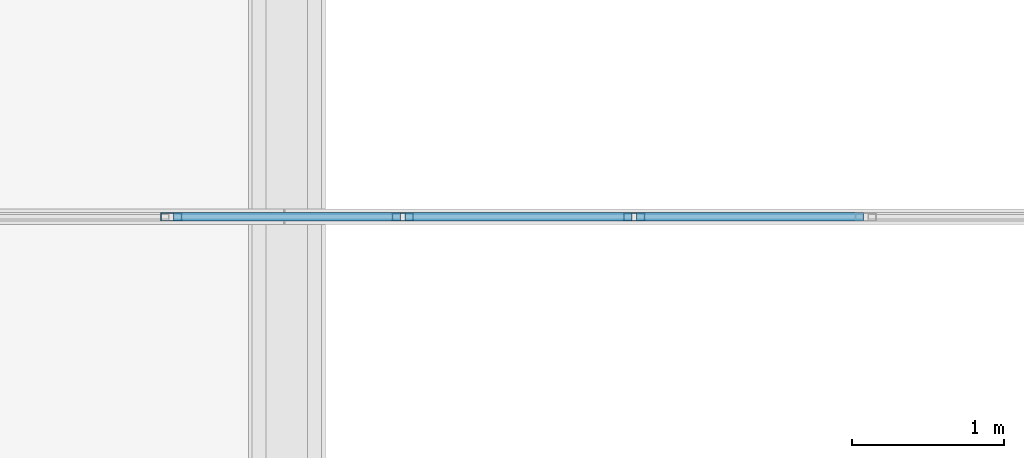
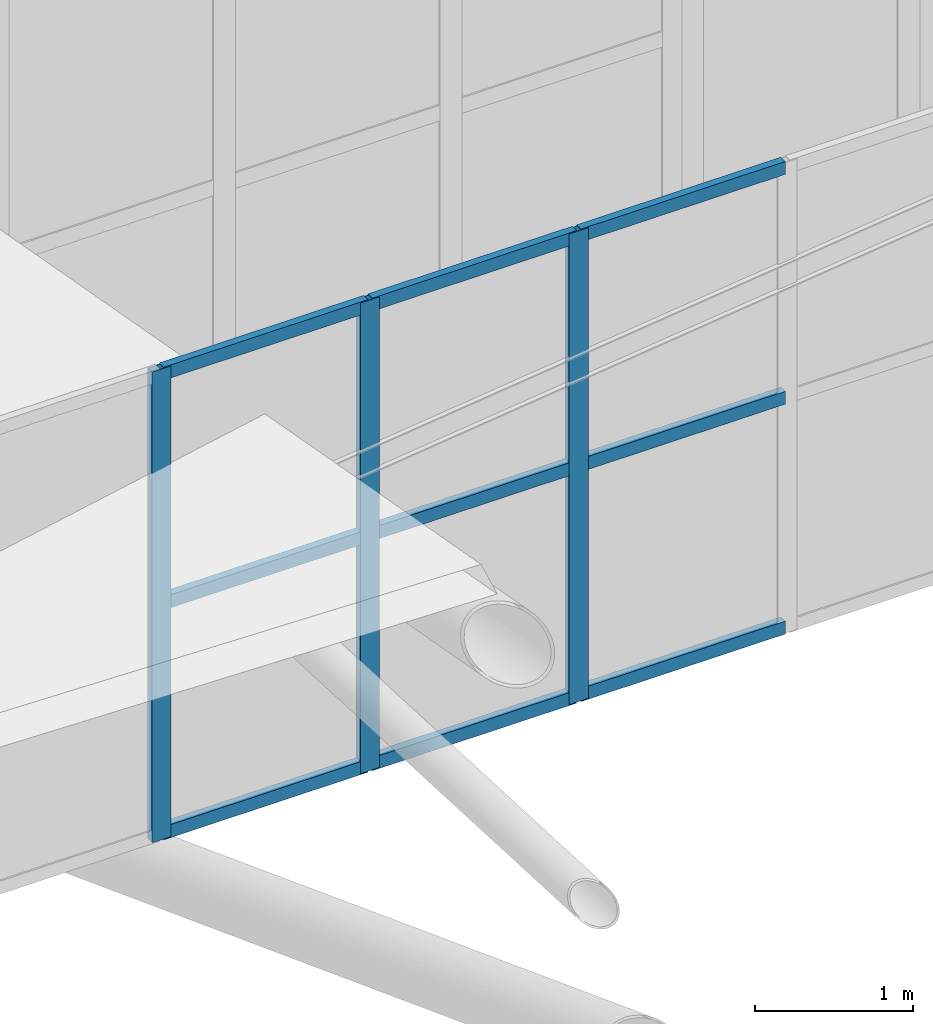
# One storey, part 226 of 397: 12 members, 1 element without a shape of its own.
"""IFC4 building model written with IfcOpenShell, lengths in metres."""

from ifc_helpers import new_model, si_unit, direction, frame, origin, origin_2d, place, context, subcontext, project, spatial, hollow_rectangle, extrude, material, material_profile, profile_set, type_object, element, aggregate, save


model = new_model("IFC4")

# Units and contexts
model_context = context("Model", 3, precision=1e-05, world=origin(), true_north=direction((0.0, 1.0)))
body_context = subcontext(model_context, "Body", "Model", "MODEL_VIEW")
ifc_project = project(units=[si_unit("LENGTHUNIT", "METRE"), si_unit("AREAUNIT", "SQUARE_METRE"), si_unit("VOLUMEUNIT", "CUBIC_METRE"), si_unit("PLANEANGLEUNIT", "RADIAN"), si_unit("MASSUNIT", "GRAM", prefix="KILO")], contexts=[model_context])

# Site, building, storey
site_placement = place(None, origin())
site = spatial("IfcSite", under=ifc_project, at=site_placement, CompositionType="ELEMENT")
building_placement = place(site_placement, origin())
building = spatial("IfcBuilding", under=site, at=building_placement, Name="Qandorah Velis Arena", CompositionType="ELEMENT")
storey_placement = place(building_placement, frame((0.0, 0.0, 27.5)))
storey = spatial("IfcBuildingStorey", under=building, at=storey_placement, Name="RF", CompositionType="ELEMENT", Elevation=27.5)

# Curtain wall, members
ifc_material_1 = material(Name="Solar-control low-E double glazing", Category="glass")
curtain_wall_type = type_object("IfcCurtainWallType", Name="ARC-CW-SYS01", PredefinedType="USERDEFINED", material=ifc_material_1)
curtain_wall_placement = place(storey_placement, origin())
curtain_wall = element("IfcCurtainWall", 1, at=curtain_wall_placement, inside=storey, type_object=curtain_wall_type, Name="Unitised curtain wall MON-4-1", ObjectType="UNITISED CURTAIN WALL", PredefinedType="USERDEFINED")
ifc_material_2 = material(Name="Champagne-bronze anodized aluminium 6063-T6", Category="aluminium")
ifc_material_profile_1 = material_profile(ifc_material_2, hollow_rectangle(XDim=0.054931640625, YDim=0.139892578125, WallThickness=0.0029296875, at=origin_2d()), Name="ALU MULLION 55x140")
ifc_profile_set_1 = profile_set([ifc_material_profile_1], Name="Champagne-bronze anodized aluminium 6063-T6")
member_type_1 = type_object("IfcMemberType", Name="ARC-CWM-140", PredefinedType="MULLION", material=ifc_profile_set_1)
member_1_placement = place(storey_placement, frame((28.038818359375, 108.0, 3.625732421875), z_axis=(0.0, 0.0, 1.0), x_axis=(0.0, 1.0, 0.0)))
member_1 = element("IfcMember", 2, at=member_1_placement, type_object=member_type_1, Name="CW01 mullion 5", PredefinedType="MULLION", context=body_context, shape_type="SweptSolid", body=[
    extrude(hollow_rectangle(XDim=0.054931640625, YDim=0.139892578125, WallThickness=0.0029296875, at=origin_2d()), origin(), (0.0, 0.0, 1.0), 3.630126953125),
])
member_2_placement = place(storey_placement, frame((29.56103515625, 108.0, 3.625732421875), z_axis=(0.0, 0.0, 1.0), x_axis=(0.0, 1.0, 0.0)))
member_2 = element("IfcMember", 3, at=member_2_placement, type_object=member_type_1, Name="CW01 mullion 6", PredefinedType="MULLION", context=body_context, shape_type="SweptSolid", body=[
    extrude(hollow_rectangle(XDim=0.054931640625, YDim=0.139892578125, WallThickness=0.0029296875, at=origin_2d()), origin(), (0.0, 0.0, 1.0), 3.630126953125),
])
member_3_placement = place(storey_placement, frame((31.083251953125, 108.0, 3.625732421875), z_axis=(0.0, 0.0, 1.0), x_axis=(0.0, 1.0, 0.0)))
member_3 = element("IfcMember", 4, at=member_3_placement, type_object=member_type_1, Name="CW01 mullion 7", PredefinedType="MULLION", context=body_context, shape_type="SweptSolid", body=[
    extrude(hollow_rectangle(XDim=0.054931640625, YDim=0.139892578125, WallThickness=0.0029296875, at=origin_2d()), origin(), (0.0, 0.0, 1.0), 3.630126953125),
])
ifc_material_profile_2 = material_profile(ifc_material_2, hollow_rectangle(XDim=0.054931640625, YDim=0.10009765625, WallThickness=0.0029296875, at=origin_2d()), Name="ALU TRANSOM 55x100")
ifc_profile_set_2 = profile_set([ifc_material_profile_2], Name="Champagne-bronze anodized aluminium 6063-T6")
member_type_2 = type_object("IfcMemberType", Name="ARC-CWT-100", PredefinedType="USERDEFINED", material=ifc_profile_set_2)
member_4_placement = place(storey_placement, frame((28.054443359375, 108.0, 3.668212890625), z_axis=(1.0, 0.0, 0.0), x_axis=(0.0, 1.0, 0.0)))
member_4 = element("IfcMember", 5, at=member_4_placement, type_object=member_type_2, Name="CW01 transom 5.1", ObjectType="TRANSOM", PredefinedType="USERDEFINED", context=body_context, shape_type="SweptSolid", body=[
    extrude(hollow_rectangle(XDim=0.054931640625, YDim=0.10009765625, WallThickness=0.0029296875, at=origin_2d()), origin(), (0.0, 0.0, 1.0), 1.4912109375),
])
member_5_placement = place(storey_placement, frame((28.054443359375, 108.0, 5.44091796875), z_axis=(1.0, 0.0, 0.0), x_axis=(0.0, 1.0, 0.0)))
member_5 = element("IfcMember", 6, at=member_5_placement, type_object=member_type_2, Name="CW01 transom 5.2", ObjectType="TRANSOM", PredefinedType="USERDEFINED", context=body_context, shape_type="SweptSolid", body=[
    extrude(hollow_rectangle(XDim=0.054931640625, YDim=0.10009765625, WallThickness=0.0029296875, at=origin_2d()), origin(), (0.0, 0.0, 1.0), 1.4912109375),
])
member_6_placement = place(storey_placement, frame((28.054443359375, 108.0, 7.21337890625), z_axis=(1.0, 0.0, 0.0), x_axis=(0.0, 1.0, 0.0)))
member_6 = element("IfcMember", 7, at=member_6_placement, type_object=member_type_2, Name="CW01 transom 5.3", ObjectType="TRANSOM", PredefinedType="USERDEFINED", context=body_context, shape_type="SweptSolid", body=[
    extrude(hollow_rectangle(XDim=0.054931640625, YDim=0.10009765625, WallThickness=0.0029296875, at=origin_2d()), origin(), (0.0, 0.0, 1.0), 1.4912109375),
])
member_7_placement = place(storey_placement, frame((29.57666015625, 108.0, 3.668212890625), z_axis=(1.0, 0.0, 0.0), x_axis=(0.0, 1.0, 0.0)))
member_7 = element("IfcMember", 8, at=member_7_placement, type_object=member_type_2, Name="CW01 transom 6.1", ObjectType="TRANSOM", PredefinedType="USERDEFINED", context=body_context, shape_type="SweptSolid", body=[
    extrude(hollow_rectangle(XDim=0.054931640625, YDim=0.10009765625, WallThickness=0.0029296875, at=origin_2d()), origin(), (0.0, 0.0, 1.0), 1.4912109375),
])
member_8_placement = place(storey_placement, frame((29.57666015625, 108.0, 5.44091796875), z_axis=(1.0, 0.0, 0.0), x_axis=(0.0, 1.0, 0.0)))
member_8 = element("IfcMember", 9, at=member_8_placement, type_object=member_type_2, Name="CW01 transom 6.2", ObjectType="TRANSOM", PredefinedType="USERDEFINED", context=body_context, shape_type="SweptSolid", body=[
    extrude(hollow_rectangle(XDim=0.054931640625, YDim=0.10009765625, WallThickness=0.0029296875, at=origin_2d()), origin(), (0.0, 0.0, 1.0), 1.4912109375),
])
member_9_placement = place(storey_placement, frame((29.57666015625, 108.0, 7.21337890625), z_axis=(1.0, 0.0, 0.0), x_axis=(0.0, 1.0, 0.0)))
member_9 = element("IfcMember", 10, at=member_9_placement, type_object=member_type_2, Name="CW01 transom 6.3", ObjectType="TRANSOM", PredefinedType="USERDEFINED", context=body_context, shape_type="SweptSolid", body=[
    extrude(hollow_rectangle(XDim=0.054931640625, YDim=0.10009765625, WallThickness=0.0029296875, at=origin_2d()), origin(), (0.0, 0.0, 1.0), 1.4912109375),
])
member_10_placement = place(storey_placement, frame((31.098876953125, 108.0, 3.668212890625), z_axis=(1.0, 0.0, 0.0), x_axis=(0.0, 1.0, 0.0)))
member_10 = element("IfcMember", 11, at=member_10_placement, type_object=member_type_2, Name="CW01 transom 7.1", ObjectType="TRANSOM", PredefinedType="USERDEFINED", context=body_context, shape_type="SweptSolid", body=[
    extrude(hollow_rectangle(XDim=0.054931640625, YDim=0.10009765625, WallThickness=0.0029296875, at=origin_2d()), origin(), (0.0, 0.0, 1.0), 1.4912109375),
])
member_11_placement = place(storey_placement, frame((31.098876953125, 108.0, 5.44091796875), z_axis=(1.0, 0.0, 0.0), x_axis=(0.0, 1.0, 0.0)))
member_11 = element("IfcMember", 12, at=member_11_placement, type_object=member_type_2, Name="CW01 transom 7.2", ObjectType="TRANSOM", PredefinedType="USERDEFINED", context=body_context, shape_type="SweptSolid", body=[
    extrude(hollow_rectangle(XDim=0.054931640625, YDim=0.10009765625, WallThickness=0.0029296875, at=origin_2d()), origin(), (0.0, 0.0, 1.0), 1.4912109375),
])
member_12_placement = place(storey_placement, frame((31.098876953125, 108.0, 7.21337890625), z_axis=(1.0, 0.0, 0.0), x_axis=(0.0, 1.0, 0.0)))
member_12 = element("IfcMember", 13, at=member_12_placement, type_object=member_type_2, Name="CW01 transom 7.3", ObjectType="TRANSOM", PredefinedType="USERDEFINED", context=body_context, shape_type="SweptSolid", body=[
    extrude(hollow_rectangle(XDim=0.054931640625, YDim=0.10009765625, WallThickness=0.0029296875, at=origin_2d()), origin(), (0.0, 0.0, 1.0), 1.4912109375),
])
aggregate(curtain_wall, [member_1, member_2, member_3, member_4, member_5, member_6, member_7, member_8, member_9, member_10, member_11, member_12])

save(model, "model.ifc")
